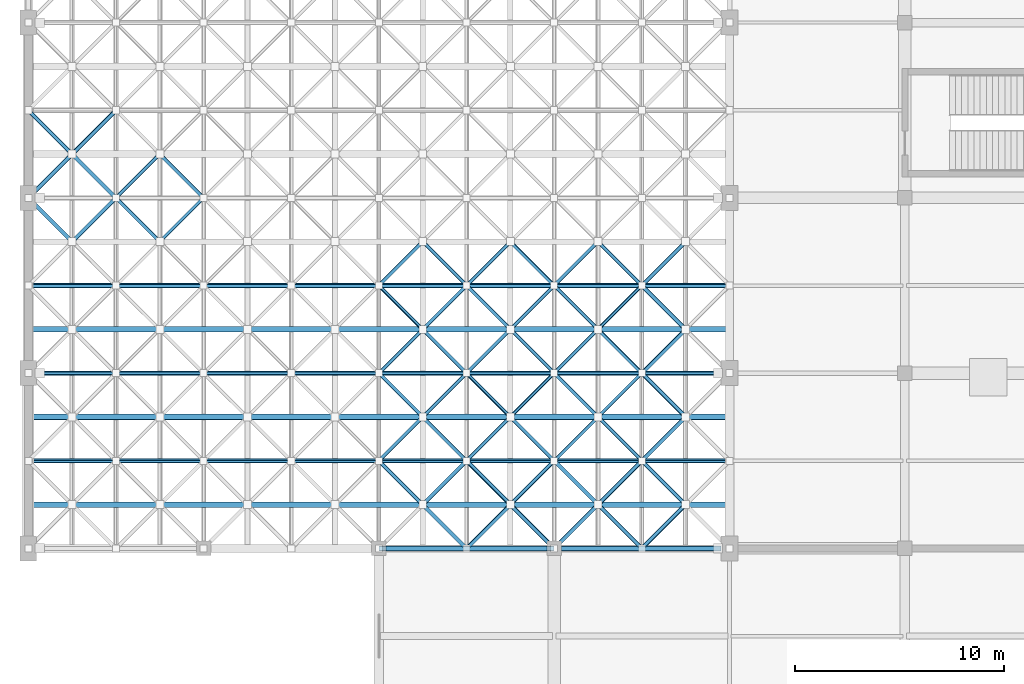
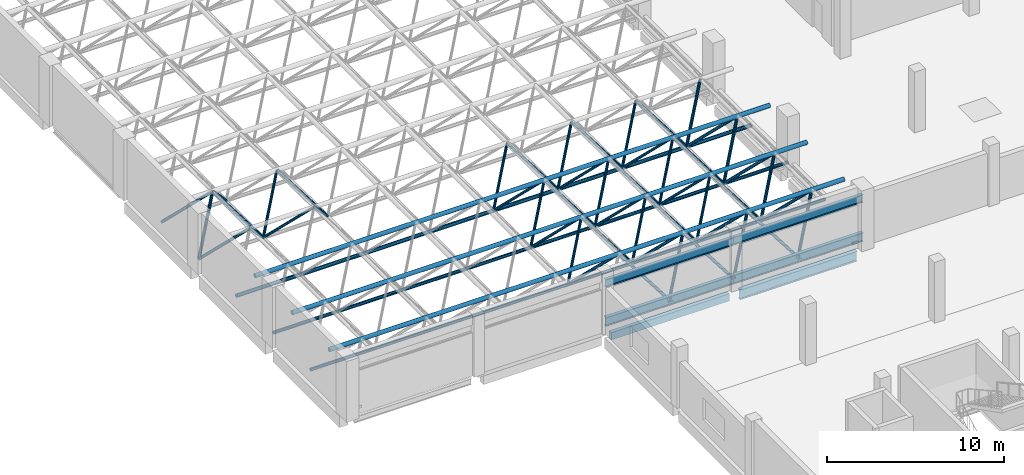
# One storey, part 15 of 64: 64 members, 6 beams.
"""IFC4 building model written with IfcOpenShell, lengths in metres."""

import ifcopenshell
import ifcopenshell.guid

model = None  # the IFC model being written
_history = None  # IfcOwnerHistory: only IFC2X3 demands one
_inside = {}  # id of a spatial element -> (the spatial element, [elements in it])
_under = {}  # id of a project, library or spatial element -> (it, [spatial elements below it])
_declared = {}  # id of a project -> (the project, [libraries it declares])
_typed = {}  # id of a type object -> (the type object, [elements of that type])
_made_of = {}  # id of a material, layer set ... -> (it, [elements and type objects made of it])


def new_model(schema):
    """Start an empty IFC model of exactly this schema.

    Asked for "IFC4X3", IfcOpenShell would pick the latest addendum, in which some entities
    have other attributes; the version numbers below select the first issue.
    IFC2X3 requires an IfcOwnerHistory on every rooted entity: one is made here for all.
    """
    global model, _history
    if schema == "IFC4X3":
        model = ifcopenshell.file(schema_version=(4, 3, 0, 0))
    else:
        model = ifcopenshell.file(schema=schema)
    _inside.clear()
    _under.clear()
    _declared.clear()
    _typed.clear()
    _made_of.clear()
    _history = None
    if model.schema == "IFC2X3":
        org = make("IfcOrganization", Name="unknown")
        user = make(
            "IfcPersonAndOrganization",
            ThePerson=make("IfcPerson", FamilyName="unknown"),
            TheOrganization=org,
        )
        app = make(
            "IfcApplication",
            ApplicationDeveloper=org,
            Version="unknown",
            ApplicationFullName="unknown",
            ApplicationIdentifier="unknown",
        )
        _history = make(
            "IfcOwnerHistory",
            OwningUser=user,
            OwningApplication=app,
            ChangeAction="ADDED",
            CreationDate=0,
        )
    return model


def make(cls, **values):
    """One entity of the class cls with the attributes given. An attribute that is None is left unset."""
    return model.create_entity(
        cls, **{name: value for name, value in values.items() if value is not None}
    )


def rooted(cls, **values):
    """An entity with a GlobalId (a new one), such as an element, a storey or a relation."""
    return make(cls, GlobalId=ifcopenshell.guid.new(), OwnerHistory=_history, **values)


def si_unit(unit_type, name, prefix=None):
    """IfcSIUnit, for example si_unit("LENGTHUNIT", "METRE", prefix="MILLI")."""
    return make("IfcSIUnit", UnitType=unit_type, Prefix=prefix, Name=name)


def derived_unit(unit_type, elements):
    """IfcDerivedUnit: a product of units, each with its exponent."""
    return make(
        "IfcDerivedUnit",
        Elements=[
            make("IfcDerivedUnitElement", Unit=unit, Exponent=power)
            for unit, power in elements
        ],
        UnitType=unit_type,
    )


def assignment(units):
    """IfcUnitAssignment: the units of a project."""
    return None if units is None else make("IfcUnitAssignment", Units=units)


def point(xyz):
    """IfcCartesianPoint."""
    return None if xyz is None else make("IfcCartesianPoint", Coordinates=xyz)


def direction(xyz):
    """IfcDirection."""
    return None if xyz is None else make("IfcDirection", DirectionRatios=xyz)


def frame(location, z_axis=None, x_axis=None):
    """IfcAxis2Placement3D, a coordinate frame: its origin and axes. An axis left out is left unset."""
    return make(
        "IfcAxis2Placement3D",
        Location=point(location),
        Axis=direction(z_axis),
        RefDirection=direction(x_axis),
    )


def frame_2d(location, x_axis=None):
    """IfcAxis2Placement2D, a coordinate frame in the plane: its origin and x axis."""
    return make(
        "IfcAxis2Placement2D", Location=point(location), RefDirection=direction(x_axis)
    )


def origin():
    """The frame at (0, 0, 0) with its axes left unset."""
    return frame((0.0, 0.0, 0.0))


def origin_2d():
    """The frame at (0, 0) in the plane with its x axis left unset."""
    return frame_2d((0.0, 0.0))


def place(relative_to, where):
    """IfcLocalPlacement: puts the frame where relative to a parent placement (None: the world)."""
    return make(
        "IfcLocalPlacement", PlacementRelTo=relative_to, RelativePlacement=where
    )


def context(
    kind, dimensions, precision=None, world=None, true_north=None, identifier=None
):
    """IfcGeometricRepresentationContext, for example the 3D "Model" context."""
    return make(
        "IfcGeometricRepresentationContext",
        ContextIdentifier=identifier,
        ContextType=kind,
        CoordinateSpaceDimension=dimensions,
        Precision=precision,
        WorldCoordinateSystem=world,
        TrueNorth=true_north,
    )


def subcontext(parent, identifier, kind, view, scale=None):
    """IfcGeometricRepresentationSubContext, for example "Body" below "Model"."""
    return make(
        "IfcGeometricRepresentationSubContext",
        ContextIdentifier=identifier,
        ContextType=kind,
        ParentContext=parent,
        TargetScale=scale,
        TargetView=view,
    )


def project(units=None, contexts=None):
    """IfcProject with its units and contexts."""
    return rooted(
        "IfcProject",
        Name="project",
        RepresentationContexts=contexts,
        UnitsInContext=assignment(units),
    )


def spatial(cls, under=None, at=None, **own):
    """A site, building, storey or space (cls), placed at a placement, below another one or the project."""
    s = rooted(cls, ObjectPlacement=at, **own)
    if under is not None:
        _under.setdefault(under.id(), (under, []))[1].append(s)
    return s


def profile(cls, at=None, kind="AREA", **sizes):
    """A parametric profile (cls). Its sizes go by their IFC names, for example OverallWidth=200.0."""
    return make(cls, ProfileType=kind, Position=at, **sizes)


def rectangle(**sizes):
    """IfcRectangleProfileDef."""
    return profile("IfcRectangleProfileDef", **sizes)


def hollow_circle(**sizes):
    """IfcCircleHollowProfileDef."""
    return profile("IfcCircleHollowProfileDef", **sizes)


def i_section(**sizes):
    """IfcIShapeProfileDef."""
    return profile("IfcIShapeProfileDef", **sizes)


def extrude(swept, where, along, depth):
    """IfcExtrudedAreaSolid: the profile swept, set in the frame where, extruded along a direction by depth."""
    return make(
        "IfcExtrudedAreaSolid",
        SweptArea=swept,
        Position=where,
        ExtrudedDirection=direction(along),
        Depth=depth,
    )


def shape(context_of_items, identifier, shape_type, items):
    """IfcShapeRepresentation: the items that make up one representation, for example the "Body"."""
    return make(
        "IfcShapeRepresentation",
        ContextOfItems=context_of_items,
        RepresentationIdentifier=identifier,
        RepresentationType=shape_type,
        Items=items,
    )


def material(Name=None, Category=None):
    """IfcMaterial."""
    return make("IfcMaterial", Name=Name, Category=Category)


def material_profile(
    of_material, cross_section, Name=None, Category=None, Priority=None
):
    """IfcMaterialProfile: a cross section and its material."""
    return make(
        "IfcMaterialProfile",
        Name=Name,
        Material=of_material,
        Profile=cross_section,
        Priority=Priority,
        Category=Category,
    )


def profile_set(profiles, Name=None, composite=None):
    """IfcMaterialProfileSet."""
    return make(
        "IfcMaterialProfileSet",
        Name=Name,
        MaterialProfiles=profiles,
        CompositeProfile=composite,
    )


def made_of(thing, what):
    """Note that an element or type object is made of a material, layer set ...; save() writes the relation."""
    if what is not None:
        _made_of.setdefault(what.id(), (what, []))[1].append(thing)
    return thing


def type_object(cls, material=None, **own):
    """A type object (cls), such as IfcWallType, which elements share."""
    return made_of(rooted(cls, **own), material)


def element(
    cls,
    number,
    at=None,
    inside=None,
    cuts=None,
    type_object=None,
    material=None,
    context=None,
    identifier="Body",
    shape_type=None,
    held_by="IfcProductDefinitionShape",
    body=None,
    shapes=None,
    **own,
):
    """One element of the class cls, such as IfcWall. Its Tag is "e" and its number.

    at: its placement. inside: the storey or other place that contains it. cuts: it is an
    opening in that element (IfcRelVoidsElement). A single representation is given by context,
    identifier, shape_type and body (its items); several are given by shapes. held_by: the class
    of the entity that holds the representations. save() writes the other relations.
    """
    e = rooted(cls, Tag="e%d" % number, ObjectPlacement=at, **own)
    if body is not None:
        shapes = [shape(context, identifier, shape_type, body)]
    if shapes is not None:
        e.Representation = make(held_by, Representations=shapes)
    if inside is not None:
        _inside.setdefault(inside.id(), (inside, []))[1].append(e)
    if cuts is not None:
        rooted(
            "IfcRelVoidsElement", RelatingBuildingElement=cuts, RelatedOpeningElement=e
        )
    if type_object is not None:
        _typed.setdefault(type_object.id(), (type_object, []))[1].append(e)
    return made_of(e, material)


def aggregate(whole, parts):
    """IfcRelAggregates: a whole, such as a stair, and the parts it consists of."""
    return rooted("IfcRelAggregates", RelatingObject=whole, RelatedObjects=parts)


def save(model, path):
    """Write the relations noted so far, then the file.

    IfcRelAggregates (storeys below a building ...), IfcRelContainedInSpatialStructure (elements
    in a storey), IfcRelDefinesByType, IfcRelAssociatesMaterial and IfcRelDeclares: one each for
    every whole, place, type object, material and project.
    """
    for whole, parts in _under.values():
        aggregate(whole, parts)
    for where, things in _inside.values():
        rooted(
            "IfcRelContainedInSpatialStructure",
            RelatedElements=things,
            RelatingStructure=where,
        )
    for kind, things in _typed.values():
        rooted("IfcRelDefinesByType", RelatedObjects=things, RelatingType=kind)
    for what, things in _made_of.values():
        rooted("IfcRelAssociatesMaterial", RelatedObjects=things, RelatingMaterial=what)
    for by, libraries in _declared.values():
        rooted("IfcRelDeclares", RelatingContext=by, RelatedDefinitions=libraries)
    model.write(path)


model = new_model("IFC4")

# Units and contexts
model_context = context("Model", 3, precision=1e-05, world=origin(), true_north=direction((0.0, 1.0)))
body_context = subcontext(model_context, "Body", "Model", "MODEL_VIEW")
ifc_project = project(units=[si_unit("LENGTHUNIT", "METRE"), si_unit("AREAUNIT", "SQUARE_METRE"), si_unit("VOLUMEUNIT", "CUBIC_METRE"), si_unit("PLANEANGLEUNIT", "RADIAN"), si_unit("MASSUNIT", "GRAM", prefix="KILO"), derived_unit("THERMALTRANSMITTANCEUNIT", [(si_unit("POWERUNIT", "WATT"), 1), (si_unit("LENGTHUNIT", "METRE"), -2), (si_unit("THERMODYNAMICTEMPERATUREUNIT", "KELVIN"), -1)])], contexts=[model_context])

# Site, building, storey
site_placement = place(None, origin())
site = spatial("IfcSite", under=ifc_project, at=site_placement, CompositionType="ELEMENT")
building_placement = place(site_placement, origin())
building = spatial("IfcBuilding", under=site, at=building_placement, Name="Barrovel Congress Hotel", CompositionType="ELEMENT")
storey_placement = place(building_placement, frame((0.0, 0.0, 14.10009765625)))
storey = spatial("IfcBuildingStorey", under=building, at=storey_placement, Name="L03", CompositionType="ELEMENT", Elevation=14.10009765625)

# Beam
ifc_material_1 = material(Name="Concrete C40", Category="concrete")
ifc_material_profile_1 = material_profile(ifc_material_1, rectangle(XDim=0.25, YDim=0.5, at=origin_2d()), Name="RC250x500")
ifc_profile_set_1 = profile_set([ifc_material_profile_1], Name="Concrete C40")
beam_type_1 = type_object("IfcBeamType", Name="BM-RC250x500", PredefinedType="SPANDREL", material=ifc_profile_set_1)
beam_1_placement = place(storey_placement, frame((17.14990234375, 37.800048828125, -0.489990234375), z_axis=(1.0, 0.0, 0.0), x_axis=(0.0, 1.0, 0.0)))
element("IfcBeam", 1, at=beam_1_placement, inside=storey, type_object=beam_type_1, Name="BMX:L03:37.8:16.8-25.2", PredefinedType="SPANDREL", context=body_context, shape_type="SweptSolid", body=[
    extrude(rectangle(XDim=0.25, YDim=0.5, at=origin_2d()), origin(), (0.0, 0.0, 1.0), 7.7001953125),
])

# Members
ifc_material_2 = material(Name="Steel ASTM A500 Grade C", Category="steel")
ifc_material_profile_2 = material_profile(ifc_material_2, hollow_circle(Radius=0.084228515625, WallThickness=0.006591796875, at=origin_2d()), Name="CHS168.3x7.1")
ifc_profile_set_2 = profile_set([ifc_material_profile_2], Name="Steel ASTM A500 Grade C")
member_type_1 = type_object("IfcMemberType", Name="MEM-CHS168.3x7.1", PredefinedType="BRACE", material=ifc_profile_set_2)
for number, where, z_axis, x_axis, name in (
    (2, (4.199951171875, 54.60009765625, 0.599853515625), (0.527618240532, 0.527556903839, 0.665809811786), (-0.707065676302, 0.707147883682, 0.0), "Space Frame Roof Truss Diagonal 1-4-1"),
    (3, (8.39990234375, 54.60009765625, 0.599853515625), (-0.527573976661, 0.527573976661, 0.665831358755), (-0.707106781187, -0.707106781187, 0.0), "Space Frame Roof Truss Diagonal 1-4-2"),
    (4, (16.800048828125, 42.0, 0.599853515625), (0.527556903839, 0.527618240532, 0.665809811786), (-0.707147883682, 0.707065676302, 0.0), "Space Frame Roof Truss Diagonal 4-1-1"),
):
    element("IfcMember", number, at=place(storey_placement, frame(where, z_axis=z_axis, x_axis=x_axis)), inside=storey, type_object=member_type_1, Name=name, PredefinedType="BRACE", context=body_context, shape_type="SweptSolid", body=[
        extrude(hollow_circle(Radius=0.084228515625, WallThickness=0.006591796875, at=origin_2d()), origin(), (0.0, 0.0, 1.0), 3.980224609375),
    ])
member_1_placement = place(storey_placement, frame((21.0, 42.0, 0.599853515625), z_axis=(-0.527601167383, 0.527601167383, 0.665788266908), x_axis=(-0.707106781187, -0.707106781187, 0.0)))
element("IfcMember", 5, at=member_1_placement, inside=storey, type_object=member_type_1, Name="Space Frame Roof Truss Diagonal 4-1-2", PredefinedType="BRACE", context=body_context, shape_type="SweptSolid", body=[
    extrude(hollow_circle(Radius=0.084228515625, WallThickness=0.006591796875, at=origin_2d()), origin(), (0.0, 0.0, 1.0), 3.98046875),
])
for number, where, z_axis, x_axis, name in (
    (6, (16.800048828125, 46.199951171875, 0.599853515625), (0.527573976661, -0.527573976661, 0.665831358755), (0.707106781187, 0.707106781187, 0.0), "Space Frame Roof Truss Diagonal 4-1-3"),
    (7, (21.0, 46.199951171875, 0.599853515625), (-0.527618240532, -0.527556903839, 0.665809811786), (0.707065676302, -0.707147883682, 0.0), "Space Frame Roof Truss Diagonal 4-1-4"),
    (8, (16.800048828125, 50.39990234375, 0.599853515625), (0.527556903839, 0.527618240532, 0.665809811786), (-0.707147883682, 0.707065676302, 0.0), "Space Frame Roof Truss Diagonal 4-3-1"),
):
    element("IfcMember", number, at=place(storey_placement, frame(where, z_axis=z_axis, x_axis=x_axis)), inside=storey, type_object=member_type_1, Name=name, PredefinedType="BRACE", context=body_context, shape_type="SweptSolid", body=[
        extrude(hollow_circle(Radius=0.084228515625, WallThickness=0.006591796875, at=origin_2d()), origin(), (0.0, 0.0, 1.0), 3.980224609375),
    ])
for number, where, z_axis, x_axis, name in (
    (9, (21.0, 50.39990234375, 0.599853515625), (-0.527601167383, 0.527601167383, 0.665788266908), (-0.707106781187, -0.707106781187, 0.0), "Space Frame Roof Truss Diagonal 4-3-2"),
    (10, (21.0, 46.199951171875, 0.599853515625), (0.527601167383, 0.527601167383, 0.665788266908), (-0.707106781187, 0.707106781187, 0.0), "Space Frame Roof Truss Diagonal 5-2-1"),
):
    element("IfcMember", number, at=place(storey_placement, frame(where, z_axis=z_axis, x_axis=x_axis)), inside=storey, type_object=member_type_1, Name=name, PredefinedType="BRACE", context=body_context, shape_type="SweptSolid", body=[
        extrude(hollow_circle(Radius=0.084228515625, WallThickness=0.006591796875, at=origin_2d()), origin(), (0.0, 0.0, 1.0), 3.98046875),
    ])
for number, where, z_axis, x_axis, name in (
    (11, (25.199951171875, 46.199951171875, 0.599853515625), (-0.527556903839, 0.527618240532, 0.665809811786), (-0.707147883682, -0.707065676302, 0.0), "Space Frame Roof Truss Diagonal 5-2-2"),
    (12, (21.0, 50.39990234375, 0.599853515625), (0.527618240532, -0.527556903839, 0.665809811786), (0.707065676302, 0.707147883682, 0.0), "Space Frame Roof Truss Diagonal 5-2-3"),
    (13, (25.199951171875, 50.39990234375, 0.599853515625), (-0.527573976661, -0.527573976661, 0.665831358755), (0.707106781187, -0.707106781187, 0.0), "Space Frame Roof Truss Diagonal 5-2-4"),
):
    element("IfcMember", number, at=place(storey_placement, frame(where, z_axis=z_axis, x_axis=x_axis)), inside=storey, type_object=member_type_1, Name=name, PredefinedType="BRACE", context=body_context, shape_type="SweptSolid", body=[
        extrude(hollow_circle(Radius=0.084228515625, WallThickness=0.006591796875, at=origin_2d()), origin(), (0.0, 0.0, 1.0), 3.980224609375),
    ])
member_2_placement = place(storey_placement, frame((25.199951171875, 42.0, 0.599853515625), z_axis=(0.527601167383, 0.527601167383, 0.665788266908), x_axis=(-0.707106781187, 0.707106781187, 0.0)))
element("IfcMember", 14, at=member_2_placement, inside=storey, type_object=member_type_1, Name="Space Frame Roof Truss Diagonal 6-1-1", PredefinedType="BRACE", context=body_context, shape_type="SweptSolid", body=[
    extrude(hollow_circle(Radius=0.084228515625, WallThickness=0.006591796875, at=origin_2d()), origin(), (0.0, 0.0, 1.0), 3.98046875),
])
for number, where, z_axis, x_axis, name in (
    (15, (29.39990234375, 42.0, 0.599853515625), (-0.527556903839, 0.527618240532, 0.665809811786), (-0.707147883682, -0.707065676302, 0.0), "Space Frame Roof Truss Diagonal 6-1-2"),
    (16, (25.199951171875, 46.199951171875, 0.599853515625), (0.527618240532, -0.527556903839, 0.665809811786), (0.707065676302, 0.707147883682, 0.0), "Space Frame Roof Truss Diagonal 6-1-3"),
    (17, (29.39990234375, 46.199951171875, 0.599853515625), (-0.527573976661, -0.527573976661, 0.665831358755), (0.707106781187, -0.707106781187, 0.0), "Space Frame Roof Truss Diagonal 6-1-4"),
):
    element("IfcMember", number, at=place(storey_placement, frame(where, z_axis=z_axis, x_axis=x_axis)), inside=storey, type_object=member_type_1, Name=name, PredefinedType="BRACE", context=body_context, shape_type="SweptSolid", body=[
        extrude(hollow_circle(Radius=0.084228515625, WallThickness=0.006591796875, at=origin_2d()), origin(), (0.0, 0.0, 1.0), 3.980224609375),
    ])
member_3_placement = place(storey_placement, frame((25.199951171875, 50.39990234375, 0.599853515625), z_axis=(0.527601167383, 0.527601167383, 0.665788266908), x_axis=(-0.707106781187, 0.707106781187, 0.0)))
element("IfcMember", 18, at=member_3_placement, inside=storey, type_object=member_type_1, Name="Space Frame Roof Truss Diagonal 6-3-1", PredefinedType="BRACE", context=body_context, shape_type="SweptSolid", body=[
    extrude(hollow_circle(Radius=0.084228515625, WallThickness=0.006591796875, at=origin_2d()), origin(), (0.0, 0.0, 1.0), 3.98046875),
])
member_4_placement = place(storey_placement, frame((29.39990234375, 50.39990234375, 0.599853515625), z_axis=(-0.527556903839, 0.527618240532, 0.665809811786), x_axis=(-0.707147883682, -0.707065676302, 0.0)))
element("IfcMember", 19, at=member_4_placement, inside=storey, type_object=member_type_1, Name="Space Frame Roof Truss Diagonal 6-3-2", PredefinedType="BRACE", context=body_context, shape_type="SweptSolid", body=[
    extrude(hollow_circle(Radius=0.084228515625, WallThickness=0.006591796875, at=origin_2d()), origin(), (0.0, 0.0, 1.0), 3.980224609375),
])
ifc_material_profile_3 = material_profile(ifc_material_2, hollow_circle(Radius=0.084228515625, WallThickness=0.0087890625, at=origin_2d()), Name="CHS168.3x9.5")
ifc_profile_set_3 = profile_set([ifc_material_profile_3], Name="Steel ASTM A500 Grade C")
member_type_2 = type_object("IfcMemberType", Name="MEM-CHS168.3x9.5", PredefinedType="BRACE", material=ifc_profile_set_3)
member_5_placement = place(storey_placement, frame((4.199951171875, 54.60009765625, 0.599853515625), z_axis=(0.527601167383, -0.527601167383, 0.665788266908), x_axis=(0.707106781187, 0.707106781187, 0.0)))
element("IfcMember", 20, at=member_5_placement, inside=storey, type_object=member_type_2, Name="Space Frame Roof Truss Diagonal 1-3-3", PredefinedType="BRACE", context=body_context, shape_type="SweptSolid", body=[
    extrude(hollow_circle(Radius=0.084228515625, WallThickness=0.0087890625, at=origin_2d()), origin(), (0.0, 0.0, 1.0), 3.98046875),
])
for number, where, z_axis, x_axis, name in (
    (21, (8.39990234375, 54.60009765625, 0.599853515625), (-0.527556903839, -0.527618240532, 0.665809811786), (0.707147883682, -0.707065676302, 0.0), "Space Frame Roof Truss Diagonal 1-3-4"),
    (22, (16.800048828125, 46.199951171875, 0.599853515625), (0.527556903839, 0.527618240532, 0.665809811786), (-0.707147883682, 0.707065676302, 0.0), "Space Frame Roof Truss Diagonal 4-2-1"),
):
    element("IfcMember", number, at=place(storey_placement, frame(where, z_axis=z_axis, x_axis=x_axis)), inside=storey, type_object=member_type_2, Name=name, PredefinedType="BRACE", context=body_context, shape_type="SweptSolid", body=[
        extrude(hollow_circle(Radius=0.084228515625, WallThickness=0.0087890625, at=origin_2d()), origin(), (0.0, 0.0, 1.0), 3.980224609375),
    ])
member_6_placement = place(storey_placement, frame((21.0, 46.199951171875, 0.599853515625), z_axis=(-0.527601167383, 0.527601167383, 0.665788266908), x_axis=(-0.707106781187, -0.707106781187, 0.0)))
element("IfcMember", 23, at=member_6_placement, inside=storey, type_object=member_type_2, Name="Space Frame Roof Truss Diagonal 4-2-2", PredefinedType="BRACE", context=body_context, shape_type="SweptSolid", body=[
    extrude(hollow_circle(Radius=0.084228515625, WallThickness=0.0087890625, at=origin_2d()), origin(), (0.0, 0.0, 1.0), 3.98046875),
])
for number, where, z_axis, x_axis, name in (
    (24, (16.800048828125, 50.39990234375, 0.599853515625), (0.527573976661, -0.527573976661, 0.665831358755), (0.707106781187, 0.707106781187, 0.0), "Space Frame Roof Truss Diagonal 4-2-3"),
    (25, (21.0, 50.39990234375, 0.599853515625), (-0.527618240532, -0.527556903839, 0.665809811786), (0.707065676302, -0.707147883682, 0.0), "Space Frame Roof Truss Diagonal 4-2-4"),
):
    element("IfcMember", number, at=place(storey_placement, frame(where, z_axis=z_axis, x_axis=x_axis)), inside=storey, type_object=member_type_2, Name=name, PredefinedType="BRACE", context=body_context, shape_type="SweptSolid", body=[
        extrude(hollow_circle(Radius=0.084228515625, WallThickness=0.0087890625, at=origin_2d()), origin(), (0.0, 0.0, 1.0), 3.980224609375),
    ])
member_7_placement = place(storey_placement, frame((21.0, 42.0, 0.599853515625), z_axis=(0.527601167383, 0.527601167383, 0.665788266908), x_axis=(-0.707106781187, 0.707106781187, 0.0)))
element("IfcMember", 26, at=member_7_placement, inside=storey, type_object=member_type_2, Name="Space Frame Roof Truss Diagonal 5-1-1", PredefinedType="BRACE", context=body_context, shape_type="SweptSolid", body=[
    extrude(hollow_circle(Radius=0.084228515625, WallThickness=0.0087890625, at=origin_2d()), origin(), (0.0, 0.0, 1.0), 3.98046875),
])
for number, where, z_axis, x_axis, name in (
    (27, (25.199951171875, 42.0, 0.599853515625), (-0.527556903839, 0.527618240532, 0.665809811786), (-0.707147883682, -0.707065676302, 0.0), "Space Frame Roof Truss Diagonal 5-1-2"),
    (28, (21.0, 46.199951171875, 0.599853515625), (0.527618240532, -0.527556903839, 0.665809811786), (0.707065676302, 0.707147883682, 0.0), "Space Frame Roof Truss Diagonal 5-1-3"),
    (29, (25.199951171875, 46.199951171875, 0.599853515625), (-0.527573976661, -0.527573976661, 0.665831358755), (0.707106781187, -0.707106781187, 0.0), "Space Frame Roof Truss Diagonal 5-1-4"),
):
    element("IfcMember", number, at=place(storey_placement, frame(where, z_axis=z_axis, x_axis=x_axis)), inside=storey, type_object=member_type_2, Name=name, PredefinedType="BRACE", context=body_context, shape_type="SweptSolid", body=[
        extrude(hollow_circle(Radius=0.084228515625, WallThickness=0.0087890625, at=origin_2d()), origin(), (0.0, 0.0, 1.0), 3.980224609375),
    ])
member_8_placement = place(storey_placement, frame((21.0, 50.39990234375, 0.599853515625), z_axis=(0.527601167383, 0.527601167383, 0.665788266908), x_axis=(-0.707106781187, 0.707106781187, 0.0)))
element("IfcMember", 30, at=member_8_placement, inside=storey, type_object=member_type_2, Name="Space Frame Roof Truss Diagonal 5-3-1", PredefinedType="BRACE", context=body_context, shape_type="SweptSolid", body=[
    extrude(hollow_circle(Radius=0.084228515625, WallThickness=0.0087890625, at=origin_2d()), origin(), (0.0, 0.0, 1.0), 3.98046875),
])
member_9_placement = place(storey_placement, frame((25.199951171875, 50.39990234375, 0.599853515625), z_axis=(-0.527556903839, 0.527618240532, 0.665809811786), x_axis=(-0.707147883682, -0.707065676302, 0.0)))
element("IfcMember", 31, at=member_9_placement, inside=storey, type_object=member_type_2, Name="Space Frame Roof Truss Diagonal 5-3-2", PredefinedType="BRACE", context=body_context, shape_type="SweptSolid", body=[
    extrude(hollow_circle(Radius=0.084228515625, WallThickness=0.0087890625, at=origin_2d()), origin(), (0.0, 0.0, 1.0), 3.980224609375),
])
member_10_placement = place(storey_placement, frame((25.199951171875, 46.199951171875, 0.599853515625), z_axis=(0.527601167383, 0.527601167383, 0.665788266908), x_axis=(-0.707106781187, 0.707106781187, 0.0)))
element("IfcMember", 32, at=member_10_placement, inside=storey, type_object=member_type_2, Name="Space Frame Roof Truss Diagonal 6-2-1", PredefinedType="BRACE", context=body_context, shape_type="SweptSolid", body=[
    extrude(hollow_circle(Radius=0.084228515625, WallThickness=0.0087890625, at=origin_2d()), origin(), (0.0, 0.0, 1.0), 3.98046875),
])
for number, where, z_axis, x_axis, name in (
    (33, (29.39990234375, 46.199951171875, 0.599853515625), (-0.527556903839, 0.527618240532, 0.665809811786), (-0.707147883682, -0.707065676302, 0.0), "Space Frame Roof Truss Diagonal 6-2-2"),
    (34, (25.199951171875, 50.39990234375, 0.599853515625), (0.527618240532, -0.527556903839, 0.665809811786), (0.707065676302, 0.707147883682, 0.0), "Space Frame Roof Truss Diagonal 6-2-3"),
    (35, (29.39990234375, 50.39990234375, 0.599853515625), (-0.527573976661, -0.527573976661, 0.665831358755), (0.707106781187, -0.707106781187, 0.0), "Space Frame Roof Truss Diagonal 6-2-4"),
):
    element("IfcMember", number, at=place(storey_placement, frame(where, z_axis=z_axis, x_axis=x_axis)), inside=storey, type_object=member_type_2, Name=name, PredefinedType="BRACE", context=body_context, shape_type="SweptSolid", body=[
        extrude(hollow_circle(Radius=0.084228515625, WallThickness=0.0087890625, at=origin_2d()), origin(), (0.0, 0.0, 1.0), 3.980224609375),
    ])
ifc_material_profile_4 = material_profile(ifc_material_2, hollow_circle(Radius=0.096923828125, WallThickness=0.0087890625, at=origin_2d()), Name="CHS193.7x9.5")
ifc_profile_set_4 = profile_set([ifc_material_profile_4], Name="Steel ASTM A500 Grade C")
member_type_3 = type_object("IfcMemberType", Name="MEM-CHS193.7x9.5", PredefinedType="BRACE", material=ifc_profile_set_4)
member_11_placement = place(storey_placement, frame((0.0, 54.60009765625, 0.599853515625), z_axis=(0.527601167383, -0.527601167383, 0.665788266908), x_axis=(0.707106781187, 0.707106781187, 0.0)))
element("IfcMember", 36, at=member_11_placement, inside=storey, type_object=member_type_3, Name="Space Frame Roof Truss Diagonal 0-3-3", PredefinedType="BRACE", context=body_context, shape_type="SweptSolid", body=[
    extrude(hollow_circle(Radius=0.096923828125, WallThickness=0.0087890625, at=origin_2d()), origin(), (0.0, 0.0, 1.0), 3.98046875),
])
for number, where, z_axis, x_axis, name in (
    (37, (4.199951171875, 54.60009765625, 0.599853515625), (-0.527556903839, -0.527618240532, 0.665809811786), (0.707147883682, -0.707065676302, 0.0), "Space Frame Roof Truss Diagonal 0-3-4"),
    (38, (0.0, 54.60009765625, 0.599853515625), (0.527618240532, 0.527556903839, 0.665809811786), (-0.707065676302, 0.707147883682, 0.0), "Space Frame Roof Truss Diagonal 0-4-1"),
    (39, (4.199951171875, 54.60009765625, 0.599853515625), (-0.527573976661, 0.527573976661, 0.665831358755), (-0.707106781187, -0.707106781187, 0.0), "Space Frame Roof Truss Diagonal 0-4-2"),
):
    element("IfcMember", number, at=place(storey_placement, frame(where, z_axis=z_axis, x_axis=x_axis)), inside=storey, type_object=member_type_3, Name=name, PredefinedType="BRACE", context=body_context, shape_type="SweptSolid", body=[
        extrude(hollow_circle(Radius=0.096923828125, WallThickness=0.0087890625, at=origin_2d()), origin(), (0.0, 0.0, 1.0), 3.980224609375),
    ])
member_12_placement = place(storey_placement, frame((0.0, 58.800048828125, 0.599853515625), z_axis=(0.527601167383, -0.527601167383, 0.665788266908), x_axis=(0.707106781187, 0.707106781187, 0.0)))
element("IfcMember", 40, at=member_12_placement, inside=storey, type_object=member_type_3, Name="Space Frame Roof Truss Diagonal 0-4-3", PredefinedType="BRACE", context=body_context, shape_type="SweptSolid", body=[
    extrude(hollow_circle(Radius=0.096923828125, WallThickness=0.0087890625, at=origin_2d()), origin(), (0.0, 0.0, 1.0), 3.98046875),
])
for number, where, z_axis, x_axis, name in (
    (41, (4.199951171875, 58.800048828125, 0.599853515625), (-0.527556903839, -0.527618240532, 0.665809811786), (0.707147883682, -0.707065676302, 0.0), "Space Frame Roof Truss Diagonal 0-4-4"),
    (42, (21.0, 37.800048828125, 0.599853515625), (-0.527618240532, 0.527556903839, 0.665809811786), (-0.707065676302, -0.707147883682, 0.0), "Space Frame Roof Truss Diagonal 4-0-2"),
    (43, (16.800048828125, 42.0, 0.599853515625), (0.527556903839, -0.527618240532, 0.665809811786), (0.707147883682, 0.707065676302, 0.0), "Space Frame Roof Truss Diagonal 4-0-3"),
):
    element("IfcMember", number, at=place(storey_placement, frame(where, z_axis=z_axis, x_axis=x_axis)), inside=storey, type_object=member_type_3, Name=name, PredefinedType="BRACE", context=body_context, shape_type="SweptSolid", body=[
        extrude(hollow_circle(Radius=0.096923828125, WallThickness=0.0087890625, at=origin_2d()), origin(), (0.0, 0.0, 1.0), 3.980224609375),
    ])
member_13_placement = place(storey_placement, frame((21.0, 42.0, 0.599853515625), z_axis=(-0.527601167383, -0.527601167383, 0.665788266908), x_axis=(0.707106781187, -0.707106781187, 0.0)))
element("IfcMember", 44, at=member_13_placement, inside=storey, type_object=member_type_3, Name="Space Frame Roof Truss Diagonal 4-0-4", PredefinedType="BRACE", context=body_context, shape_type="SweptSolid", body=[
    extrude(hollow_circle(Radius=0.096923828125, WallThickness=0.0087890625, at=origin_2d()), origin(), (0.0, 0.0, 1.0), 3.98046875),
])
for number, where, z_axis, x_axis, name in (
    (45, (21.0, 37.800048828125, 0.599853515625), (0.527618240532, 0.527556903839, 0.665809811786), (-0.707065676302, 0.707147883682, 0.0), "Space Frame Roof Truss Diagonal 5-0-1"),
    (46, (25.199951171875, 37.800048828125, 0.599853515625), (-0.527573976661, 0.527573976661, 0.665831358755), (-0.707106781187, -0.707106781187, 0.0), "Space Frame Roof Truss Diagonal 5-0-2"),
):
    element("IfcMember", number, at=place(storey_placement, frame(where, z_axis=z_axis, x_axis=x_axis)), inside=storey, type_object=member_type_3, Name=name, PredefinedType="BRACE", context=body_context, shape_type="SweptSolid", body=[
        extrude(hollow_circle(Radius=0.096923828125, WallThickness=0.0087890625, at=origin_2d()), origin(), (0.0, 0.0, 1.0), 3.980224609375),
    ])
member_14_placement = place(storey_placement, frame((21.0, 42.0, 0.599853515625), z_axis=(0.527601167383, -0.527601167383, 0.665788266908), x_axis=(0.707106781187, 0.707106781187, 0.0)))
element("IfcMember", 47, at=member_14_placement, inside=storey, type_object=member_type_3, Name="Space Frame Roof Truss Diagonal 5-0-3", PredefinedType="BRACE", context=body_context, shape_type="SweptSolid", body=[
    extrude(hollow_circle(Radius=0.096923828125, WallThickness=0.0087890625, at=origin_2d()), origin(), (0.0, 0.0, 1.0), 3.98046875),
])
for number, where, z_axis, x_axis, name in (
    (48, (25.199951171875, 42.0, 0.599853515625), (-0.527556903839, -0.527618240532, 0.665809811786), (0.707147883682, -0.707065676302, 0.0), "Space Frame Roof Truss Diagonal 5-0-4"),
    (49, (25.199951171875, 37.800048828125, 0.599853515625), (0.527618240532, 0.527556903839, 0.665809811786), (-0.707065676302, 0.707147883682, 0.0), "Space Frame Roof Truss Diagonal 6-0-1"),
    (50, (29.39990234375, 37.800048828125, 0.599853515625), (-0.527573976661, 0.527573976661, 0.665831358755), (-0.707106781187, -0.707106781187, 0.0), "Space Frame Roof Truss Diagonal 6-0-2"),
):
    element("IfcMember", number, at=place(storey_placement, frame(where, z_axis=z_axis, x_axis=x_axis)), inside=storey, type_object=member_type_3, Name=name, PredefinedType="BRACE", context=body_context, shape_type="SweptSolid", body=[
        extrude(hollow_circle(Radius=0.096923828125, WallThickness=0.0087890625, at=origin_2d()), origin(), (0.0, 0.0, 1.0), 3.980224609375),
    ])
member_15_placement = place(storey_placement, frame((25.199951171875, 42.0, 0.599853515625), z_axis=(0.527601167383, -0.527601167383, 0.665788266908), x_axis=(0.707106781187, 0.707106781187, 0.0)))
element("IfcMember", 51, at=member_15_placement, inside=storey, type_object=member_type_3, Name="Space Frame Roof Truss Diagonal 6-0-3", PredefinedType="BRACE", context=body_context, shape_type="SweptSolid", body=[
    extrude(hollow_circle(Radius=0.096923828125, WallThickness=0.0087890625, at=origin_2d()), origin(), (0.0, 0.0, 1.0), 3.98046875),
])
for number, where, z_axis, x_axis, name in (
    (52, (29.39990234375, 42.0, 0.599853515625), (-0.527556903839, -0.527618240532, 0.665809811786), (0.707147883682, -0.707065676302, 0.0), "Space Frame Roof Truss Diagonal 6-0-4"),
    (53, (29.39990234375, 37.800048828125, 0.599853515625), (0.527618240532, 0.527556903839, 0.665809811786), (-0.707065676302, 0.707147883682, 0.0), "Space Frame Roof Truss Diagonal 7-0-1"),
):
    element("IfcMember", number, at=place(storey_placement, frame(where, z_axis=z_axis, x_axis=x_axis)), inside=storey, type_object=member_type_3, Name=name, PredefinedType="BRACE", context=body_context, shape_type="SweptSolid", body=[
        extrude(hollow_circle(Radius=0.096923828125, WallThickness=0.0087890625, at=origin_2d()), origin(), (0.0, 0.0, 1.0), 3.980224609375),
    ])
for number, where, z_axis, x_axis, name in (
    (54, (29.39990234375, 42.0, 0.599853515625), (0.527601167383, -0.527601167383, 0.665788266908), (0.707106781187, 0.707106781187, 0.0), "Space Frame Roof Truss Diagonal 7-0-3"),
    (55, (29.39990234375, 42.0, 0.599853515625), (0.527601167383, 0.527601167383, 0.665788266908), (-0.707106781187, 0.707106781187, 0.0), "Space Frame Roof Truss Diagonal 7-1-1"),
):
    element("IfcMember", number, at=place(storey_placement, frame(where, z_axis=z_axis, x_axis=x_axis)), inside=storey, type_object=member_type_3, Name=name, PredefinedType="BRACE", context=body_context, shape_type="SweptSolid", body=[
        extrude(hollow_circle(Radius=0.096923828125, WallThickness=0.0087890625, at=origin_2d()), origin(), (0.0, 0.0, 1.0), 3.98046875),
    ])
member_16_placement = place(storey_placement, frame((29.39990234375, 46.199951171875, 0.599853515625), z_axis=(0.527618240532, -0.527556903839, 0.665809811786), x_axis=(0.707065676302, 0.707147883682, 0.0)))
element("IfcMember", 56, at=member_16_placement, inside=storey, type_object=member_type_3, Name="Space Frame Roof Truss Diagonal 7-1-3", PredefinedType="BRACE", context=body_context, shape_type="SweptSolid", body=[
    extrude(hollow_circle(Radius=0.096923828125, WallThickness=0.0087890625, at=origin_2d()), origin(), (0.0, 0.0, 1.0), 3.980224609375),
])
member_17_placement = place(storey_placement, frame((29.39990234375, 46.199951171875, 0.599853515625), z_axis=(0.527601167383, 0.527601167383, 0.665788266908), x_axis=(-0.707106781187, 0.707106781187, 0.0)))
element("IfcMember", 57, at=member_17_placement, inside=storey, type_object=member_type_3, Name="Space Frame Roof Truss Diagonal 7-2-1", PredefinedType="BRACE", context=body_context, shape_type="SweptSolid", body=[
    extrude(hollow_circle(Radius=0.096923828125, WallThickness=0.0087890625, at=origin_2d()), origin(), (0.0, 0.0, 1.0), 3.98046875),
])
member_18_placement = place(storey_placement, frame((29.39990234375, 50.39990234375, 0.599853515625), z_axis=(0.527618240532, -0.527556903839, 0.665809811786), x_axis=(0.707065676302, 0.707147883682, 0.0)))
element("IfcMember", 58, at=member_18_placement, inside=storey, type_object=member_type_3, Name="Space Frame Roof Truss Diagonal 7-2-3", PredefinedType="BRACE", context=body_context, shape_type="SweptSolid", body=[
    extrude(hollow_circle(Radius=0.096923828125, WallThickness=0.0087890625, at=origin_2d()), origin(), (0.0, 0.0, 1.0), 3.980224609375),
])
member_19_placement = place(storey_placement, frame((29.39990234375, 50.39990234375, 0.599853515625), z_axis=(0.527601167383, 0.527601167383, 0.665788266908), x_axis=(-0.707106781187, 0.707106781187, 0.0)))
element("IfcMember", 59, at=member_19_placement, inside=storey, type_object=member_type_3, Name="Space Frame Roof Truss Diagonal 7-3-1", PredefinedType="BRACE", context=body_context, shape_type="SweptSolid", body=[
    extrude(hollow_circle(Radius=0.096923828125, WallThickness=0.0087890625, at=origin_2d()), origin(), (0.0, 0.0, 1.0), 3.98046875),
])
ifc_material_profile_5 = material_profile(ifc_material_2, hollow_circle(Radius=0.109619140625, WallThickness=0.01171875, at=origin_2d()), Name="CHS219.1x12.7")
ifc_profile_set_5 = profile_set([ifc_material_profile_5], Name="Steel ASTM A500 Grade C")
member_type_4 = type_object("IfcMemberType", Name="MEM-CHS219.1x12.7", PredefinedType="CHORD", material=ifc_profile_set_5)
for number, where, z_axis, x_axis, name in (
    (60, (0.0, 42.0, 0.599853515625), (1.0, 0.0, 0.0), (0.0, 1.0, 0.0), "Space Frame Roof Truss Bottom Chord X 1"),
    (61, (0.0, 46.199951171875, 0.599853515625), (1.0, 0.0, 0.0), (0.0, 1.0, 0.0), "Space Frame Roof Truss Bottom Chord X 2"),
):
    element("IfcMember", number, at=place(storey_placement, frame(where, z_axis=z_axis, x_axis=x_axis)), inside=storey, type_object=member_type_4, Name=name, PredefinedType="CHORD", context=body_context, shape_type="SweptSolid", body=[
        extrude(hollow_circle(Radius=0.109619140625, WallThickness=0.01171875, at=origin_2d()), origin(), (0.0, 0.0, 1.0), 33.60009765625),
    ])
ifc_material_profile_6 = material_profile(ifc_material_2, hollow_circle(Radius=0.122314453125, WallThickness=0.01171875, at=origin_2d()), Name="CHS244.5x12.7")
ifc_profile_set_6 = profile_set([ifc_material_profile_6], Name="Steel ASTM A500 Grade C")
member_type_5 = type_object("IfcMemberType", Name="MEM-CHS244.5x12.7", PredefinedType="CHORD", material=ifc_profile_set_6)
member_20_placement = place(storey_placement, frame((0.0, 50.39990234375, 0.599853515625), z_axis=(1.0, 0.0, 0.0), x_axis=(0.0, 1.0, 0.0)))
element("IfcMember", 62, at=member_20_placement, inside=storey, type_object=member_type_5, Name="Space Frame Roof Truss Bottom Chord X 3", PredefinedType="CHORD", context=body_context, shape_type="SweptSolid", body=[
    extrude(hollow_circle(Radius=0.122314453125, WallThickness=0.01171875, at=origin_2d()), origin(), (0.0, 0.0, 1.0), 33.60009765625),
])
ifc_material_profile_7 = material_profile(ifc_material_2, hollow_circle(Radius=0.136474609375, WallThickness=0.01171875, at=origin_2d()), Name="CHS273.1x12.7")
ifc_profile_set_7 = profile_set([ifc_material_profile_7], Name="Steel ASTM A500 Grade C")
member_type_6 = type_object("IfcMemberType", Name="MEM-CHS273.1x12.7", PredefinedType="CHORD", material=ifc_profile_set_7)
for number, where, z_axis, x_axis, name in (
    (63, (0.0, 39.89990234375, 3.25), (1.0, 0.0, 0.0), (0.0, 1.0, 0.0), "Space Frame Roof Truss Top Chord X 0"),
    (64, (0.0, 44.10009765625, 3.25), (1.0, 0.0, 0.0), (0.0, 1.0, 0.0), "Space Frame Roof Truss Top Chord X 1"),
    (65, (0.0, 48.300048828125, 3.25), (1.0, 0.0, 0.0), (0.0, 1.0, 0.0), "Space Frame Roof Truss Top Chord X 2"),
):
    element("IfcMember", number, at=place(storey_placement, frame(where, z_axis=z_axis, x_axis=x_axis)), inside=storey, type_object=member_type_6, Name=name, PredefinedType="CHORD", context=body_context, shape_type="SweptSolid", body=[
        extrude(hollow_circle(Radius=0.136474609375, WallThickness=0.01171875, at=origin_2d()), origin(), (0.0, 0.0, 1.0), 33.60009765625),
    ])

# Beams
ifc_material_3 = material(Name="Steel ASTM A992 Grade 50", Category="steel")
ifc_material_profile_8 = material_profile(ifc_material_3, i_section(OverallWidth=0.208984375, OverallDepth=0.532958984375, WebThickness=0.01025390625, FlangeThickness=0.015625, FilletRadius=0.013916015625, at=origin_2d()), Name="W530x92")
ifc_profile_set_8 = profile_set([ifc_material_profile_8], Name="Steel ASTM A992 Grade 50")
beam_type_2 = type_object("IfcBeamType", Name="SBM-W530x92", PredefinedType="BEAM", material=ifc_profile_set_8)
beam_2_placement = place(storey_placement, frame((16.800048828125, 37.800048828125, 3.25), z_axis=(1.0, 0.0, 0.0), x_axis=(0.0, 1.0, 0.0)))
element("IfcBeam", 66, at=beam_2_placement, inside=storey, type_object=beam_type_2, Name="Congress Roof Truss Upper End Collector 38-3", PredefinedType="BEAM", context=body_context, shape_type="SweptSolid", body=[
    extrude(i_section(OverallWidth=0.208984375, OverallDepth=0.532958984375, WebThickness=0.01025390625, FlangeThickness=0.015625, FilletRadius=0.013916015625, at=origin_2d()), origin(), (0.0, 0.0, 1.0), 8.39990234375),
])
beam_3_placement = place(storey_placement, frame((25.199951171875, 37.800048828125, 3.25), z_axis=(1.0, 0.0, 0.0), x_axis=(0.0, 1.0, 0.0)))
element("IfcBeam", 67, at=beam_3_placement, inside=storey, type_object=beam_type_2, Name="Congress Roof Truss Upper End Collector 38-4", PredefinedType="BEAM", context=body_context, shape_type="SweptSolid", body=[
    extrude(i_section(OverallWidth=0.208984375, OverallDepth=0.532958984375, WebThickness=0.01025390625, FlangeThickness=0.015625, FilletRadius=0.013916015625, at=origin_2d()), origin(), (0.0, 0.0, 1.0), 8.400146484375),
])
ifc_material_profile_9 = material_profile(ifc_material_3, i_section(OverallWidth=0.22900390625, OverallDepth=0.612060546875, WebThickness=0.011962890625, FlangeThickness=0.01953125, FilletRadius=0.014892578125, at=origin_2d()), Name="W610x125")
ifc_profile_set_9 = profile_set([ifc_material_profile_9], Name="Steel ASTM A992 Grade 50")
beam_type_3 = type_object("IfcBeamType", Name="SBM-W610x125", PredefinedType="BEAM", material=ifc_profile_set_9)
beam_4_placement = place(storey_placement, frame((16.800048828125, 37.800048828125, 0.599853515625), z_axis=(1.0, 0.0, 0.0), x_axis=(0.0, 1.0, 0.0)))
element("IfcBeam", 68, at=beam_4_placement, inside=storey, type_object=beam_type_3, Name="Congress Roof Truss End Collector 38-3", PredefinedType="BEAM", context=body_context, shape_type="SweptSolid", body=[
    extrude(i_section(OverallWidth=0.22900390625, OverallDepth=0.612060546875, WebThickness=0.011962890625, FlangeThickness=0.01953125, FilletRadius=0.014892578125, at=origin_2d()), origin(), (0.0, 0.0, 1.0), 8.39990234375),
])
beam_5_placement = place(storey_placement, frame((25.199951171875, 37.800048828125, 0.599853515625), z_axis=(1.0, 0.0, 0.0), x_axis=(0.0, 1.0, 0.0)))
element("IfcBeam", 69, at=beam_5_placement, inside=storey, type_object=beam_type_3, Name="Congress Roof Truss End Collector 38-4", PredefinedType="BEAM", context=body_context, shape_type="SweptSolid", body=[
    extrude(i_section(OverallWidth=0.22900390625, OverallDepth=0.612060546875, WebThickness=0.011962890625, FlangeThickness=0.01953125, FilletRadius=0.014892578125, at=origin_2d()), origin(), (0.0, 0.0, 1.0), 8.400146484375),
])
ifc_material_profile_10 = material_profile(ifc_material_3, i_section(OverallWidth=0.25390625, OverallDepth=0.68408203125, WebThickness=0.012451171875, FlangeThickness=0.01904296875, FilletRadius=0.014892578125, at=origin_2d()), Name="W690x140")
ifc_profile_set_10 = profile_set([ifc_material_profile_10], Name="Steel ASTM A992 Grade 50")
beam_type_4 = type_object("IfcBeamType", Name="SBM-W690x140", PredefinedType="BEAM", material=ifc_profile_set_10)
beam_6_placement = place(storey_placement, frame((25.550048828125, 37.800048828125, -0.58203125), z_axis=(1.0, 0.0, 0.0), x_axis=(0.0, 1.0, 0.0)))
element("IfcBeam", 70, at=beam_6_placement, inside=storey, type_object=beam_type_4, Name="BMX:L03:37.8:25.2-33.6", PredefinedType="BEAM", context=body_context, shape_type="SweptSolid", body=[
    extrude(i_section(OverallWidth=0.25390625, OverallDepth=0.68408203125, WebThickness=0.012451171875, FlangeThickness=0.01904296875, FilletRadius=0.014892578125, at=origin_2d()), origin(), (0.0, 0.0, 1.0), 7.64990234375),
])

save(model, "model.ifc")
